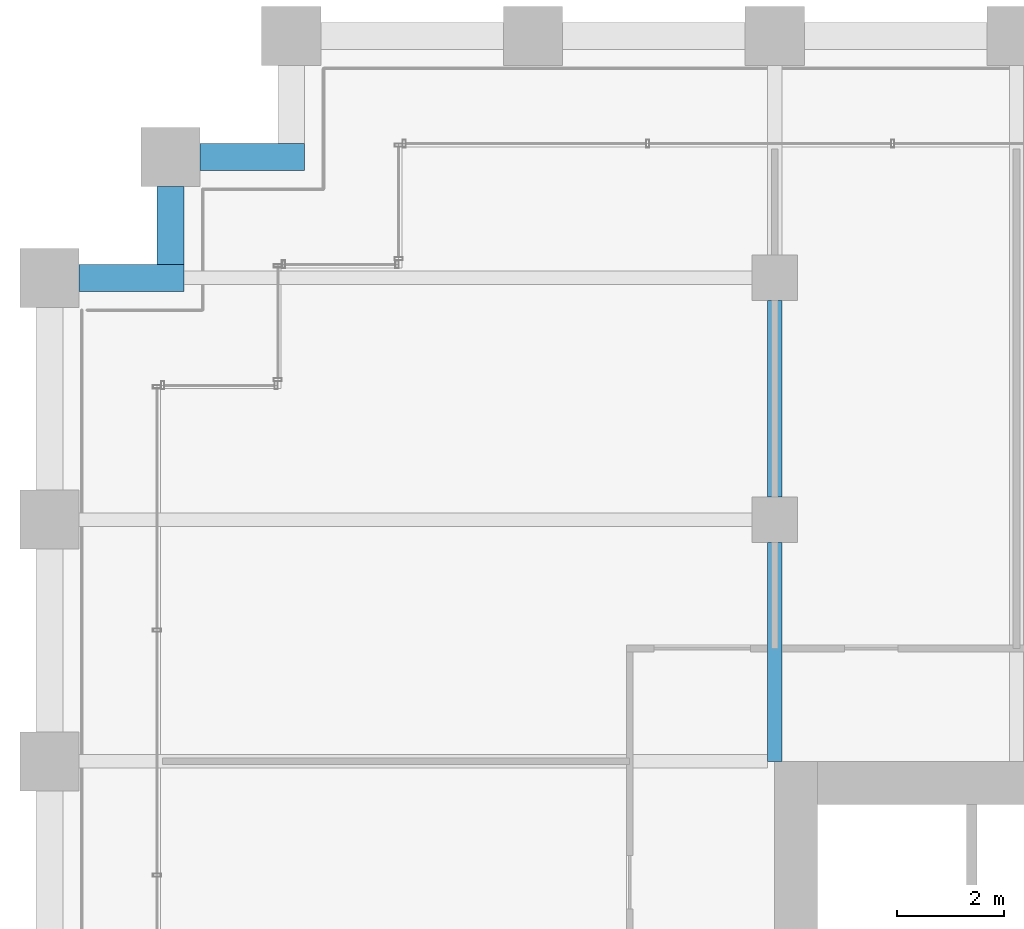
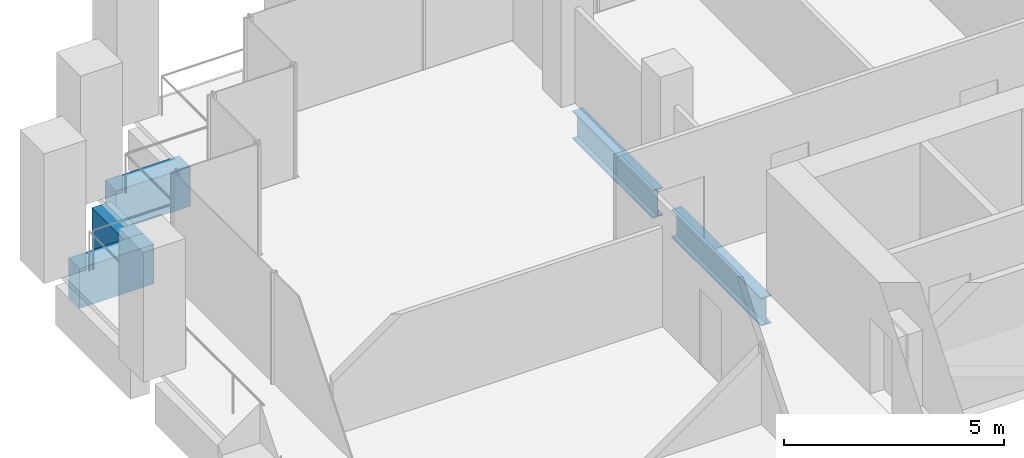
# One storey, part 25 of 56: 5 beams.
"""IFC4 building model written with IfcOpenShell, lengths in metres."""

from ifc_helpers import new_model, si_unit, direction, frame, origin, origin_2d, place, context, subcontext, project, spatial, rectangle, i_section, extrude, material, material_profile, profile_set, type_object, element, save


model = new_model("IFC4")

# Units and contexts
model_context = context("Model", 3, precision=1e-05, world=origin(), true_north=direction((0.0, 1.0)))
body_context = subcontext(model_context, "Body", "Model", "MODEL_VIEW")
ifc_project = project(units=[si_unit("LENGTHUNIT", "METRE"), si_unit("AREAUNIT", "SQUARE_METRE"), si_unit("VOLUMEUNIT", "CUBIC_METRE"), si_unit("PLANEANGLEUNIT", "RADIAN"), si_unit("MASSUNIT", "GRAM", prefix="KILO")], contexts=[model_context])

# Site, building, storey
site_placement = place(None, origin())
site = spatial("IfcSite", under=ifc_project, at=site_placement, CompositionType="ELEMENT")
building_placement = place(site_placement, origin())
building = spatial("IfcBuilding", under=site, at=building_placement, Name="Altepetl Exchange Towers", CompositionType="ELEMENT")
storey_placement = place(building_placement, frame((0.0, 0.0, 51.0)))
storey = spatial("IfcBuildingStorey", under=building, at=storey_placement, Name="L11", CompositionType="ELEMENT", Elevation=51.0)

# Beams
ifc_material_1 = material(Name="Steel S355", Category="steel")
ifc_material_profile_1 = material_profile(ifc_material_1, i_section(OverallWidth=0.26806640625, OverallDepth=0.77392578125, WebThickness=0.015380859375, FlangeThickness=0.025390625, at=origin_2d()), Name="W30X132")
ifc_profile_set_1 = profile_set([ifc_material_profile_1], Name="Steel S355")
beam_type_1 = type_object("IfcBeamType", Name="Girder W30X132", PredefinedType="BEAM", material=ifc_profile_set_1)
beam_1_placement = place(storey_placement, frame((40.5, 67.074951171875, -0.537109375), z_axis=(0.0, -1.0, 0.0), x_axis=(1.0, 0.0, 0.0)))
element("IfcBeam", 1, at=beam_1_placement, inside=storey, type_object=beam_type_1, Name="gd:A:L11:004", PredefinedType="BEAM", context=body_context, shape_type="SweptSolid", body=[
    extrude(i_section(OverallWidth=0.26806640625, OverallDepth=0.77392578125, WebThickness=0.015380859375, FlangeThickness=0.025390625, at=origin_2d()), origin(), (0.0, 0.0, 1.0), 3.64990234375),
])
beam_2_placement = place(storey_placement, frame((40.5, 62.574951171875, -0.537109375), z_axis=(0.0, -1.0, 0.0), x_axis=(1.0, 0.0, 0.0)))
element("IfcBeam", 2, at=beam_2_placement, inside=storey, type_object=beam_type_1, Name="gd:A:L11:005", PredefinedType="BEAM", context=body_context, shape_type="SweptSolid", body=[
    extrude(i_section(OverallWidth=0.26806640625, OverallDepth=0.77392578125, WebThickness=0.015380859375, FlangeThickness=0.025390625, at=origin_2d()), origin(), (0.0, 0.0, 1.0), 4.074951171875),
])
ifc_material_2 = material(Name="Concrete C50/60 precast with tezontle facing", Category="concrete")
ifc_material_profile_2 = material_profile(ifc_material_2, rectangle(XDim=0.5, YDim=1.10009765625, at=origin_2d()), Name="500 x 1100")
ifc_profile_set_2 = profile_set([ifc_material_profile_2], Name="Concrete C50/60 precast with tezontle facing")
beam_type_2 = type_object("IfcBeamType", Name="Spandrel beam 500x1100 tezontle", PredefinedType="SPANDREL", material=ifc_profile_set_2)
beam_3_placement = place(storey_placement, frame((31.75, 69.75, -0.699951171875), z_axis=(-1.0, 0.0, 0.0), x_axis=(0.0, -1.0, 0.0)))
element("IfcBeam", 3, at=beam_3_placement, inside=storey, type_object=beam_type_2, Name="sp:A:L11:033", PredefinedType="SPANDREL", context=body_context, shape_type="SweptSolid", body=[
    extrude(rectangle(XDim=0.5, YDim=1.10009765625, at=origin_2d()), origin(), (0.0, 0.0, 1.0), 1.949951171875),
])
beam_4_placement = place(storey_placement, frame((29.25, 69.199951171875, -0.699951171875), z_axis=(0.0, -1.0, 0.0), x_axis=(1.0, 0.0, 0.0)))
element("IfcBeam", 4, at=beam_4_placement, inside=storey, type_object=beam_type_2, Name="sp:A:L11:034", PredefinedType="SPANDREL", context=body_context, shape_type="SweptSolid", body=[
    extrude(rectangle(XDim=0.5, YDim=1.10009765625, at=origin_2d()), origin(), (0.0, 0.0, 1.0), 1.449951171875),
])
beam_5_placement = place(storey_placement, frame((29.5, 67.5, -0.699951171875), z_axis=(-1.0, 0.0, 0.0), x_axis=(0.0, -1.0, 0.0)))
element("IfcBeam", 5, at=beam_5_placement, inside=storey, type_object=beam_type_2, Name="sp:A:L11:035", PredefinedType="SPANDREL", context=body_context, shape_type="SweptSolid", body=[
    extrude(rectangle(XDim=0.5, YDim=1.10009765625, at=origin_2d()), origin(), (0.0, 0.0, 1.0), 1.949951171875),
])

save(model, "model.ifc")
